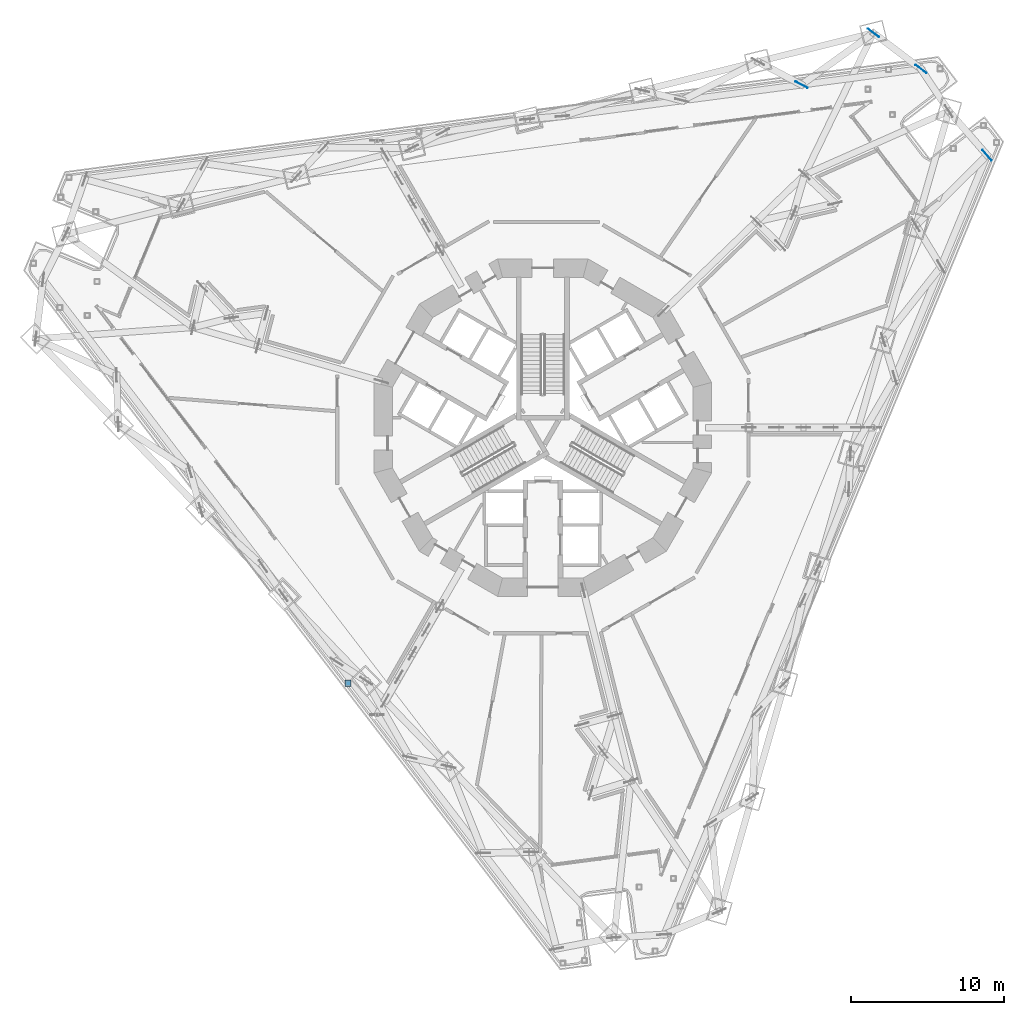
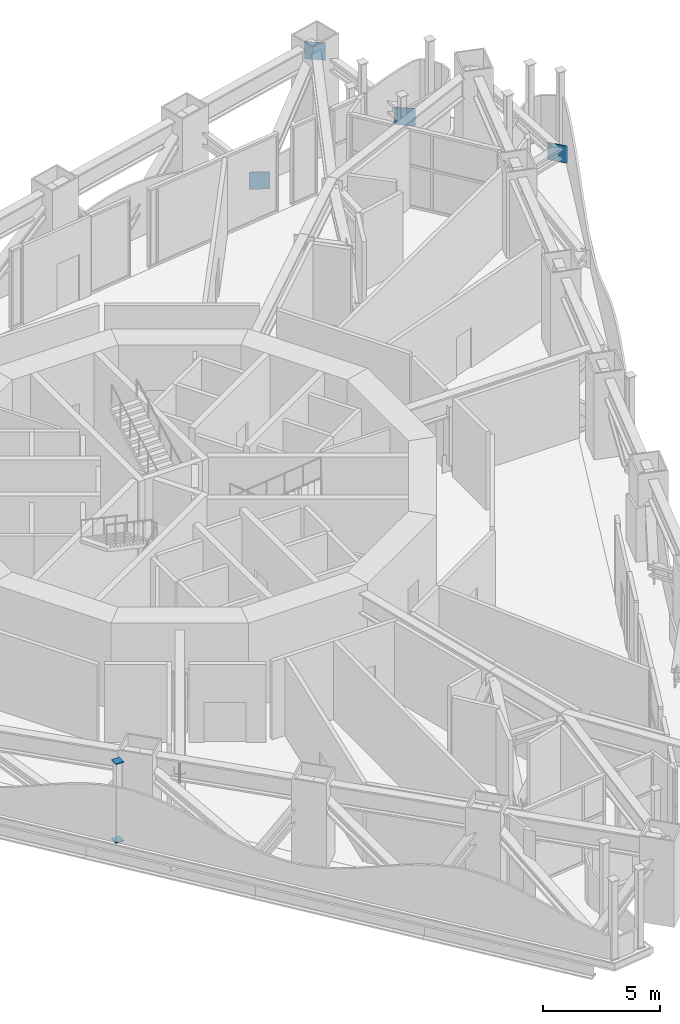
# One storey, part 23 of 31: 6 discrete accessories.
"""IFC4 building model written with IfcOpenShell, lengths in metres."""

from ifc_helpers import new_model, si_unit, direction, frame, origin, origin_2d, place, context, subcontext, project, spatial, rectangle, extrude, material, element, save


model = new_model("IFC4")

# Units and contexts
model_context = context("Model", 3, precision=1e-05, world=origin(), true_north=direction((0.0, 1.0)))
body_context = subcontext(model_context, "Body", "Model", "MODEL_VIEW")
ifc_project = project(units=[si_unit("LENGTHUNIT", "METRE"), si_unit("AREAUNIT", "SQUARE_METRE"), si_unit("VOLUMEUNIT", "CUBIC_METRE"), si_unit("PLANEANGLEUNIT", "RADIAN"), si_unit("MASSUNIT", "GRAM", prefix="KILO")], contexts=[model_context])

# Site, building, storey
site_placement = place(None, origin())
site = spatial("IfcSite", under=ifc_project, at=site_placement, CompositionType="ELEMENT")
building_placement = place(site_placement, origin())
building = spatial("IfcBuilding", under=site, at=building_placement, Name="Trine Commons Tower", CompositionType="ELEMENT")
storey_placement = place(building_placement, frame((0.0, 0.0, 82.800048828125)))
storey = spatial("IfcBuildingStorey", under=building, at=storey_placement, Name="L20", CompositionType="ELEMENT", Elevation=82.800048828125)

# Discrete accessories
ifc_material = material(Name="Structural steel ASTM A572 Gr50", Category="steel")
for number, where, z_axis, x_axis, name in (
    (1, (96.875732421875, 84.870849609375, 0.0546875), (0.0, 0.0, 1.0), (-0.883904428757, 0.467667575126, 0.0), "Gusset plate GP2-26"),
    (2, (104.6689453125, 85.89697265625, 0.0546875), (0.0, 0.0, 1.0), (-0.79706776691, 0.603889869888, 0.0), "Gusset plate GP2-31"),
    (3, (108.984375, 80.272705078125, 0.0546875), (0.0, 0.0, 1.0), (-0.65536062355, 0.755316127923, 0.0), "Gusset plate GP2-33"),
    (4, (101.562744140625, 88.250244140625, 3.15380859375), (0.0, 0.0, 1.0), (-0.79706776691, 0.603889869888, 0.0), "Gusset plate GP2-93"),
):
    element("IfcDiscreteAccessory", number, at=place(storey_placement, frame(where, z_axis=z_axis, x_axis=x_axis)), inside=storey, material=ifc_material, Name=name, PredefinedType="BRACKET", context=body_context, shape_type="SweptSolid", body=[
        extrude(rectangle(XDim=0.89990234375, YDim=0.0400390625, at=origin_2d()), origin(), (0.0, 0.0, 1.0), 0.89990234375),
    ])
for number, where, z_axis, x_axis, name in (
    (5, (67.298828125, 45.826416015625, 0.0), (0.0, 0.0, 1.0), (1.0, 0.0, 0.0), "Post base plate SP2-33"),
    (6, (67.298828125, 45.826416015625, 4.1201171875), (0.0, 0.0, 1.0), (1.0, 0.0, 0.0), "Post cap plate SP2-33"),
):
    element("IfcDiscreteAccessory", number, at=place(storey_placement, frame(where, z_axis=z_axis, x_axis=x_axis)), inside=storey, material=ifc_material, Name=name, PredefinedType="BRACKET", context=body_context, shape_type="SweptSolid", body=[
        extrude(rectangle(XDim=0.39990234375, YDim=0.39990234375, at=origin_2d()), origin(), (0.0, 0.0, 1.0), 0.030029296875),
    ])

save(model, "model.ifc")
